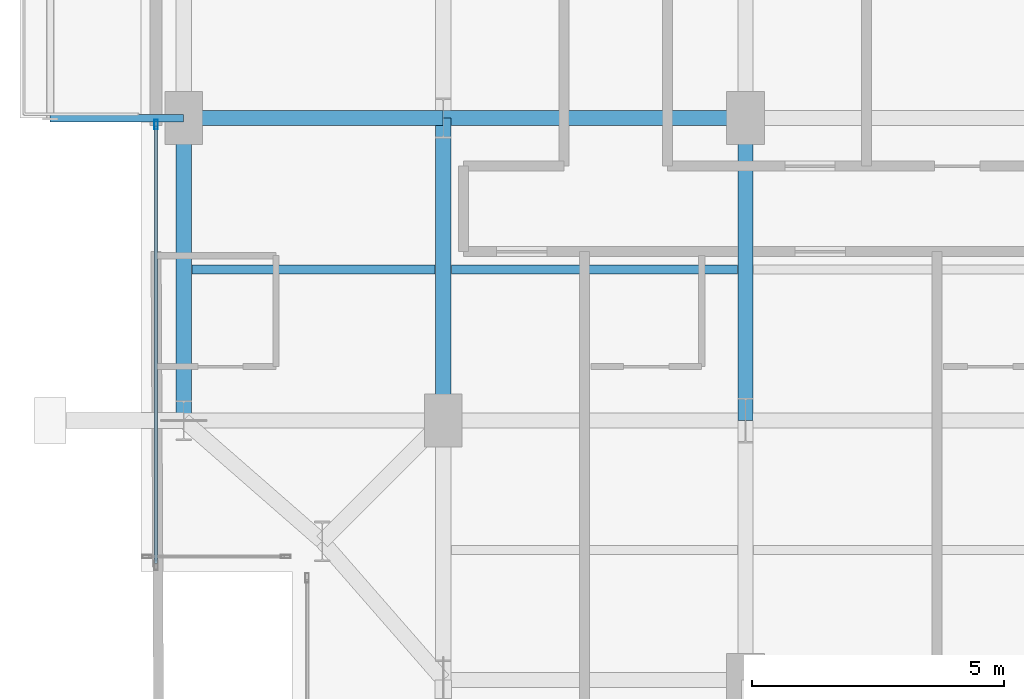
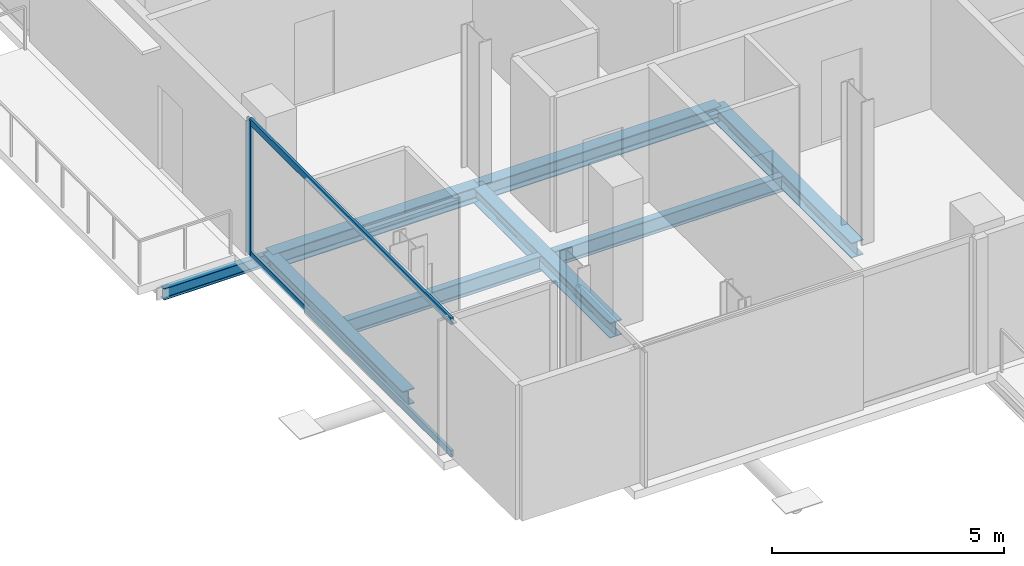
# One storey, part 3 of 22: 8 beams, 3 members, 1 element without a shape of its own.
"""IFC4 building model written with IfcOpenShell, lengths in metres."""

from ifc_helpers import new_model, si_unit, direction, frame, origin, origin_2d, place, context, subcontext, project, spatial, hollow_rectangle, i_section, extrude, material, layer, layer_set, material_profile, profile_set, type_object, element, aggregate, save


model = new_model("IFC4")

# Units and contexts
model_context = context("Model", 3, precision=1e-05, world=origin(), true_north=direction((0.0, 1.0)))
body_context = subcontext(model_context, "Body", "Model", "MODEL_VIEW")
ifc_project = project(units=[si_unit("LENGTHUNIT", "METRE"), si_unit("AREAUNIT", "SQUARE_METRE"), si_unit("VOLUMEUNIT", "CUBIC_METRE"), si_unit("PLANEANGLEUNIT", "RADIAN"), si_unit("MASSUNIT", "GRAM", prefix="KILO"), si_unit("THERMODYNAMICTEMPERATUREUNIT", "KELVIN"), si_unit("POWERUNIT", "WATT")], contexts=[model_context])

# Site, building, storey
site_placement = place(None, origin())
site = spatial("IfcSite", under=ifc_project, at=site_placement, CompositionType="ELEMENT")
building_placement = place(site_placement, origin())
building = spatial("IfcBuilding", under=site, at=building_placement, Name="Svarakhadi Broadcast Tower", CompositionType="ELEMENT")
storey_placement = place(building_placement, frame((0.0, 0.0, 172.949951171875)))
storey = spatial("IfcBuildingStorey", under=building, at=storey_placement, Name="L42", CompositionType="ELEMENT", Elevation=172.949951171875)

# Beams
ifc_material_1 = material(Name="Steel S355J2 (IS 2062 E350C)", Category="steel")
ifc_material_profile_1 = material_profile(ifc_material_1, i_section(OverallWidth=0.179931640625, OverallDepth=0.39990234375, WebThickness=0.008544921875, FlangeThickness=0.013427734375, FilletRadius=0.02099609375, at=origin_2d()), Name="NPB 400x180x66")
ifc_profile_set_1 = profile_set([ifc_material_profile_1], Name="Steel S355J2 (IS 2062 E350C)")
beam_type_1 = type_object("IfcBeamType", Name="Beam_NPB400", PredefinedType="BEAM", material=ifc_profile_set_1)
beam_1_placement = place(storey_placement, frame((1.010009765625, 9.0, -0.409912109375), z_axis=(1.0, 0.0, 0.0), x_axis=(0.0, 1.0, 0.0)))
element("IfcBeam", 1, at=beam_1_placement, inside=storey, type_object=beam_type_1, Name="L42 Secondary Composite Beam SB001", PredefinedType="BEAM", context=body_context, shape_type="SweptSolid", body=[
    extrude(i_section(OverallWidth=0.179931640625, OverallDepth=0.39990234375, WebThickness=0.008544921875, FlangeThickness=0.013427734375, FilletRadius=0.02099609375, at=origin_2d()), origin(), (0.0, 0.0, 1.0), 4.830078125),
])
beam_2_placement = place(storey_placement, frame((6.159912109375, 9.0, -0.409912109375), z_axis=(1.0, 0.0, 0.0), x_axis=(0.0, 1.0, 0.0)))
element("IfcBeam", 2, at=beam_2_placement, inside=storey, type_object=beam_type_1, Name="L42 Secondary Composite Beam SB006", PredefinedType="BEAM", context=body_context, shape_type="SweptSolid", body=[
    extrude(i_section(OverallWidth=0.179931640625, OverallDepth=0.39990234375, WebThickness=0.008544921875, FlangeThickness=0.013427734375, FilletRadius=0.02099609375, at=origin_2d()), origin(), (0.0, 0.0, 1.0), 5.68017578125),
])

# Curtain wall, members
ifc_material_2 = material(Name="Anodised Bronze Aluminium AA 6063-T6", Category="aluminium")
ifc_layer = layer(ifc_material_2, 0.18994140625)
ifc_layer_set = layer_set([ifc_layer], Name="Anodised Bronze Aluminium AA 6063-T6")
curtain_wall_type = type_object("IfcCurtainWallType", Name="CW_Sys_04", PredefinedType="NOTDEFINED", material=ifc_layer_set)
curtain_wall_placement = place(storey_placement, origin())
curtain_wall = element("IfcCurtainWall", 3, at=curtain_wall_placement, inside=storey, type_object=curtain_wall_type, Name="L42 West Curtain Wall 02", PredefinedType="NOTDEFINED")
ifc_material_profile_2 = material_profile(ifc_material_2, hollow_rectangle(XDim=0.070068359375, YDim=0.18994140625, WallThickness=0.005615234375, at=origin_2d()), Name="ALU MULLION 190x70x6")
ifc_profile_set_2 = profile_set([ifc_material_profile_2], Name="Anodised Bronze Aluminium AA 6063-T6")
member_type_1 = type_object("IfcMemberType", Name="CW_Sys_04_Mul", PredefinedType="MULLION", material=ifc_profile_set_2)
member_1_placement = place(storey_placement, frame((0.300048828125, 11.875, 0.0), z_axis=(0.0, 0.0, 1.0), x_axis=(-1.0, 0.0, 0.0)))
member_1 = element("IfcMember", 4, at=member_1_placement, type_object=member_type_1, Name="CW-04 mullion 2", PredefinedType="MULLION", context=body_context, shape_type="SweptSolid", body=[
    extrude(hollow_rectangle(XDim=0.070068359375, YDim=0.18994140625, WallThickness=0.005615234375, at=origin_2d()), origin(), (0.0, 0.0, 1.0), 3.5400390625),
])
ifc_material_profile_3 = material_profile(ifc_material_2, hollow_rectangle(XDim=0.06494140625, YDim=0.175048828125, WallThickness=0.0048828125, at=origin_2d()), Name="ALU TRANSOM 175x65x5")
ifc_profile_set_3 = profile_set([ifc_material_profile_3], Name="Anodised Bronze Aluminium AA 6063-T6")
member_type_2 = type_object("IfcMemberType", Name="CW_Sys_04_Trn", PredefinedType="USERDEFINED", material=ifc_profile_set_3)
member_2_placement = place(storey_placement, frame((0.300048828125, 3.159912109375, 0.032470703125), z_axis=(0.0, 1.0, 0.0), x_axis=(-1.0, 0.0, 0.0)))
member_2 = element("IfcMember", 5, at=member_2_placement, type_object=member_type_2, Name="CW-04 transom 1.1", ObjectType="TRANSOM", PredefinedType="USERDEFINED", context=body_context, shape_type="SweptSolid", body=[
    extrude(hollow_rectangle(XDim=0.06494140625, YDim=0.175048828125, WallThickness=0.0048828125, at=origin_2d()), origin(), (0.0, 0.0, 1.0), 8.68017578125),
])
member_3_placement = place(storey_placement, frame((0.300048828125, 3.159912109375, 3.507568359375), z_axis=(0.0, 1.0, 0.0), x_axis=(-1.0, 0.0, 0.0)))
member_3 = element("IfcMember", 6, at=member_3_placement, type_object=member_type_2, Name="CW-04 transom 1.2", ObjectType="TRANSOM", PredefinedType="USERDEFINED", context=body_context, shape_type="SweptSolid", body=[
    extrude(hollow_rectangle(XDim=0.06494140625, YDim=0.175048828125, WallThickness=0.0048828125, at=origin_2d()), origin(), (0.0, 0.0, 1.0), 8.68017578125),
])
aggregate(curtain_wall, [member_1, member_2, member_3])

# Beams
ifc_material_profile_4 = material_profile(ifc_material_1, i_section(OverallWidth=0.300048828125, OverallDepth=0.39990234375, WebThickness=0.013427734375, FlangeThickness=0.02392578125, FilletRadius=0.027099609375, at=origin_2d()), Name="WPB 400x300x155")
ifc_profile_set_4 = profile_set([ifc_material_profile_4], Name="Steel S355J2 (IS 2062 E350C)")
beam_type_2 = type_object("IfcBeamType", Name="Girder_WPB400", PredefinedType="USERDEFINED", material=ifc_profile_set_4)
beam_3_placement = place(storey_placement, frame((0.85009765625, 12.0, -0.409912109375), z_axis=(1.0, 0.0, 0.0), x_axis=(0.0, 1.0, 0.0)))
element("IfcBeam", 7, at=beam_3_placement, inside=storey, type_object=beam_type_2, Name="L42 Primary E-W Girder G015", ObjectType="GIRDER", PredefinedType="USERDEFINED", context=body_context, shape_type="SweptSolid", body=[
    extrude(i_section(OverallWidth=0.300048828125, OverallDepth=0.39990234375, WebThickness=0.013427734375, FlangeThickness=0.02392578125, FilletRadius=0.027099609375, at=origin_2d()), origin(), (0.0, 0.0, 1.0), 5.14990234375),
])
for number, where, z_axis, x_axis, name in (
    (8, (6.0, 12.0, -0.409912109375), (1.0, 0.0, 0.0), (0.0, 1.0, 0.0), "L42 Primary E-W Girder G016"),
    (9, (0.85009765625, 6.0, -0.409912109375), (0.0, 1.0, 0.0), (-1.0, 0.0, 0.0), "L42 Primary N-S Girder G033"),
    (10, (6.0, 6.0, -0.409912109375), (0.0, 1.0, 0.0), (-1.0, 0.0, 0.0), "L42 Primary N-S Girder G038"),
    (11, (12.0, 6.0, -0.409912109375), (0.0, 1.0, 0.0), (-1.0, 0.0, 0.0), "L42 Primary N-S Girder G043"),
):
    element("IfcBeam", number, at=place(storey_placement, frame(where, z_axis=z_axis, x_axis=x_axis)), inside=storey, type_object=beam_type_2, Name=name, ObjectType="GIRDER", PredefinedType="USERDEFINED", context=body_context, shape_type="SweptSolid", body=[
        extrude(i_section(OverallWidth=0.300048828125, OverallDepth=0.39990234375, WebThickness=0.013427734375, FlangeThickness=0.02392578125, FilletRadius=0.027099609375, at=origin_2d()), origin(), (0.0, 0.0, 1.0), 6.0),
    ])
ifc_material_profile_5 = material_profile(ifc_material_1, i_section(OverallWidth=0.14990234375, OverallDepth=0.300048828125, WebThickness=0.007080078125, FlangeThickness=0.0107421875, FilletRadius=0.014892578125, at=origin_2d()), Name="NPB 300x150x37")
ifc_profile_set_5 = profile_set([ifc_material_profile_5], Name="Steel S355J2 (IS 2062 E350C)")
beam_type_3 = type_object("IfcBeamType", Name="Spandrel_NPB300", PredefinedType="SPANDREL", material=ifc_profile_set_5)
beam_4_placement = place(storey_placement, frame((0.85009765625, 12.0, -0.375), z_axis=(-1.0, 0.0, 0.0), x_axis=(0.0, -1.0, 0.0)))
element("IfcBeam", 12, at=beam_4_placement, inside=storey, type_object=beam_type_3, Name="L42 Balcony Cantilever Bracket 2A", PredefinedType="SPANDREL", context=body_context, shape_type="SweptSolid", body=[
    extrude(i_section(OverallWidth=0.14990234375, OverallDepth=0.300048828125, WebThickness=0.007080078125, FlangeThickness=0.0107421875, FilletRadius=0.014892578125, at=origin_2d()), origin(), (0.0, 0.0, 1.0), 2.650146484375),
])

save(model, "model.ifc")
